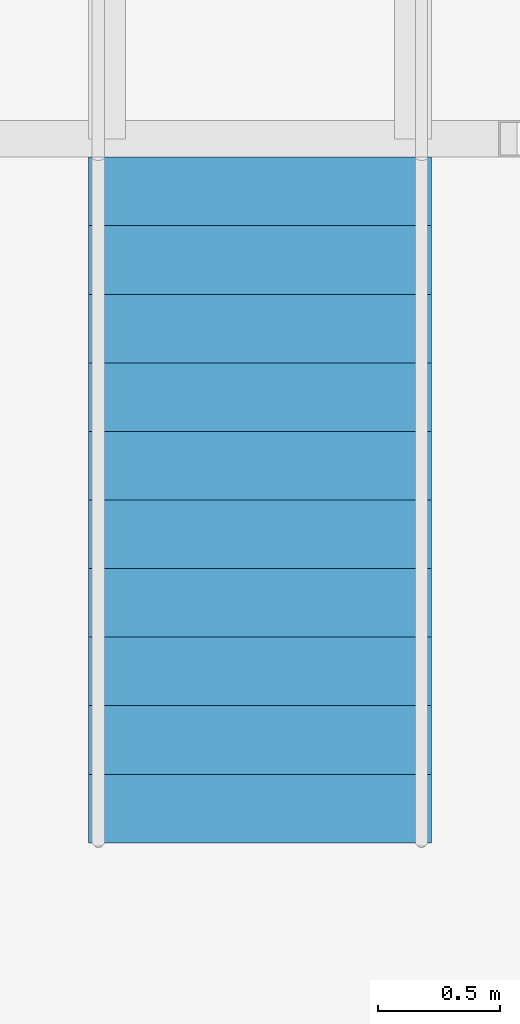
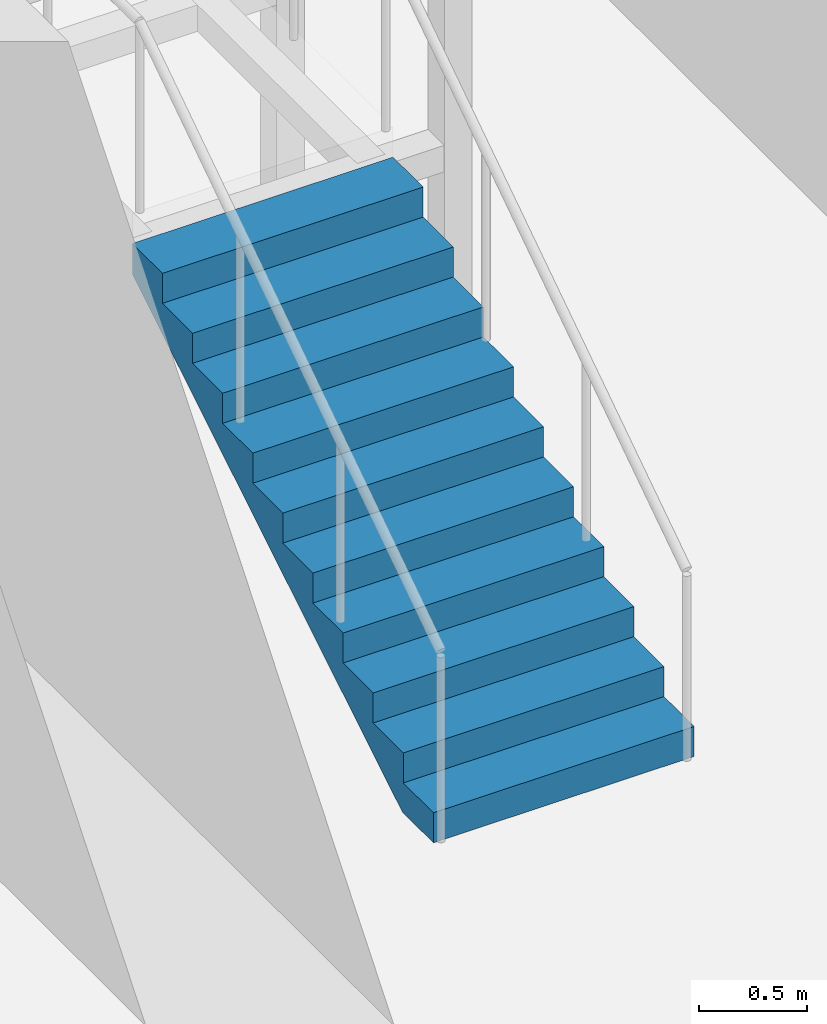
# One storey, part 19 of 25: 1 stair flight, 1 element without a shape of its own.
"""IFC4 building model written with IfcOpenShell, lengths in metres."""

from ifc_helpers import new_model, si_unit, direction, frame, origin, place, context, subcontext, project, spatial, triangles, material, type_object, element, aggregate, save


model = new_model("IFC4")

# Units and contexts
model_context = context("Model", 3, precision=1e-05, world=origin(), true_north=direction((0.0, 1.0)))
body_context = subcontext(model_context, "Body", "Model", "MODEL_VIEW")
ifc_project = project(units=[si_unit("LENGTHUNIT", "METRE"), si_unit("AREAUNIT", "SQUARE_METRE"), si_unit("VOLUMEUNIT", "CUBIC_METRE"), si_unit("PLANEANGLEUNIT", "RADIAN"), si_unit("MASSUNIT", "GRAM", prefix="KILO")], contexts=[model_context])

# Site, building, storey
site_placement = place(None, origin())
site = spatial("IfcSite", under=ifc_project, at=site_placement, CompositionType="ELEMENT")
building_placement = place(site_placement, origin())
building = spatial("IfcBuilding", under=site, at=building_placement, Name="Orbita Commons", CompositionType="ELEMENT")
storey_placement = place(building_placement, frame((0.0, 0.0, 99.39990234375)))
storey = spatial("IfcBuildingStorey", under=building, at=storey_placement, Name="L24", CompositionType="ELEMENT", Elevation=99.39990234375)

# Stair, stair flight
ifc_material_1 = material(Name="Steel ASTM A992 stringers, precast concrete C40/50 terrazzo treads", Category="concrete")
stair_type = type_object("IfcStairType", Name="Feature stair 22 risers 170 x 280 x 1400", PredefinedType="STRAIGHT_RUN_STAIR", material=ifc_material_1)
stair_placement = place(storey_placement, origin())
stair = element("IfcStair", 1, at=stair_placement, inside=storey, type_object=stair_type, Name="Neighbourhood stair L24 to L25", PredefinedType="STRAIGHT_RUN_STAIR")
ifc_material_2 = material(Name="Steel ASTM A992 stringers, precast concrete C40/50 terrazzo treads", Category="concrete")
stair_flight_type = type_object("IfcStairFlightType", Name="Feature stair flight 11 risers 170 x 1400", PredefinedType="STRAIGHT", material=ifc_material_2)
stair_flight_placement = place(storey_placement, frame((8.10009765625, 37.800048828125, 0.0), z_axis=(0.0, 0.0, 1.0), x_axis=(0.0, 1.0, 0.0)))
stair_flight = element("IfcStairFlight", 2, at=stair_flight_placement, type_object=stair_flight_type, Name="FS flight 1", NumberOfRisers=11, NumberOfTreads=10, PredefinedType="STRAIGHT", RiserHeight=0.170454545, TreadLength=0.28, context=body_context, shape_type="Tessellation", body=[
    triangles([(0.0, 0.699951, 0.0), (0.0, 0.699951, 0.021307), (0.0, 0.583293, 0.021307), (0.0, 0.583293, 0.0), (0.0, 0.466634, 0.021307), (0.0, 0.466634, 0.0), (0.0, 0.349976, 0.021307), (0.0, 0.349976, 0.0), (0.0, 0.233317, 0.021307), (0.0, 0.233317, 0.0), (0.0, 0.116659, 0.021307), (0.0, 0.116659, 0.0), (0.0, 0.0, 0.021307), (0.0, 0.0, 0.0), (0.0, -0.116659, 0.021307), (0.0, -0.116659, 0.0), (0.0, -0.233317, 0.021307), (0.0, -0.233317, 0.0), (0.0, -0.349976, 0.021307), (0.0, -0.349976, 0.0), (0.0, -0.466634, 0.021307), (0.0, -0.466634, 0.0), (0.0, -0.583293, 0.021307), (0.0, -0.583293, 0.0), (0.0, -0.699951, 0.021307), (0.0, -0.699951, 0.0), (0.0, 0.699951, 0.042614), (0.0, 0.583293, 0.042614), (0.0, 0.466634, 0.042614), (0.0, 0.349976, 0.042614), (0.0, 0.233317, 0.042614), (0.0, 0.116659, 0.042614), (0.0, 0.0, 0.042614), (0.0, -0.116659, 0.042614), (0.0, -0.233317, 0.042614), (0.0, -0.349976, 0.042614), (0.0, -0.466634, 0.042614), (0.0, -0.583293, 0.042614), (0.0, -0.699951, 0.042614), (0.0, 0.699951, 0.06392), (0.0, 0.583293, 0.06392), (0.0, 0.466634, 0.06392), (0.0, 0.349976, 0.06392), (0.0, 0.233317, 0.06392), (0.0, 0.116659, 0.06392), (0.0, 0.0, 0.06392), (0.0, -0.116659, 0.06392), (0.0, -0.233317, 0.06392), (0.0, -0.349976, 0.06392), (0.0, -0.466634, 0.06392), (0.0, -0.583293, 0.06392), (0.0, -0.699951, 0.06392), (0.0, 0.699951, 0.085227), (0.0, 0.583293, 0.085227), (0.0, 0.466634, 0.085227), (0.0, 0.349976, 0.085227), (0.0, 0.233317, 0.085227), (0.0, 0.116659, 0.085227), (0.0, 0.0, 0.085227), (0.0, -0.116659, 0.085227), (0.0, -0.233317, 0.085227), (0.0, -0.349976, 0.085227), (0.0, -0.466634, 0.085227), (0.0, -0.583293, 0.085227), (0.0, -0.699951, 0.085227), (0.0, 0.699951, 0.106534), (0.0, 0.583293, 0.106534), (0.0, 0.466634, 0.106534), (0.0, 0.349976, 0.106534), (0.0, 0.233317, 0.106534), (0.0, 0.116659, 0.106534), (0.0, 0.0, 0.106534), (0.0, -0.116659, 0.106534), (0.0, -0.233317, 0.106534), (0.0, -0.349976, 0.106534), (0.0, -0.466634, 0.106534), (0.0, -0.583293, 0.106534), (0.0, -0.699951, 0.106534), (0.0, 0.699951, 0.127841), (0.0, 0.583293, 0.127841), (0.0, 0.466634, 0.127841), (0.0, 0.349976, 0.127841), (0.0, 0.233317, 0.127841), (0.0, 0.116659, 0.127841), (0.0, 0.0, 0.127841), (0.0, -0.116659, 0.127841), (0.0, -0.233317, 0.127841), (0.0, -0.349976, 0.127841), (0.0, -0.466634, 0.127841), (0.0, -0.583293, 0.127841), (0.0, -0.699951, 0.127841), (0.0, 0.699951, 0.149148), (0.0, 0.583293, 0.149148), (0.0, 0.466634, 0.149148), (0.0, 0.349976, 0.149148), (0.0, 0.233317, 0.149148), (0.0, 0.116659, 0.149148), (0.0, 0.0, 0.149148), (0.0, -0.116659, 0.149148), (0.0, -0.233317, 0.149148), (0.0, -0.349976, 0.149148), (0.0, -0.466634, 0.149148), (0.0, -0.583293, 0.149148), (0.0, -0.699951, 0.149148), (0.0, 0.699951, 0.170455), (0.0, 0.583293, 0.170455), (0.0, 0.466634, 0.170455), (0.0, 0.349976, 0.170455), (0.0, 0.233317, 0.170455), (0.0, 0.116659, 0.170455), (0.0, 0.0, 0.170455), (0.0, -0.116659, 0.170455), (0.0, -0.233317, 0.170455), (0.0, -0.349976, 0.170455), (0.0, -0.466634, 0.170455), (0.0, -0.583293, 0.170455), (0.0, -0.699951, 0.170455), (0.28, 0.699951, 0.170455), (0.28, 0.583293, 0.170455), (0.28, 0.466634, 0.170455), (0.28, 0.349976, 0.170455), (0.28, 0.233317, 0.170455), (0.28, 0.116659, 0.170455), (0.28, 0.0, 0.170455), (0.28, -0.116659, 0.170455), (0.28, -0.233317, 0.170455), (0.28, -0.349976, 0.170455), (0.28, -0.466634, 0.170455), (0.28, -0.583293, 0.170455), (0.28, -0.699951, 0.170455), (0.28, 0.699951, 0.340909), (0.28, 0.583293, 0.340909), (0.28, 0.466634, 0.340909), (0.28, 0.349976, 0.340909), (0.28, 0.233317, 0.340909), (0.28, 0.116659, 0.340909), (0.28, 0.0, 0.340909), (0.28, -0.116659, 0.340909), (0.28, -0.233317, 0.340909), (0.28, -0.349976, 0.340909), (0.28, -0.466634, 0.340909), (0.28, -0.583293, 0.340909), (0.28, -0.699951, 0.340909), (0.56, 0.699951, 0.340909), (0.56, 0.583293, 0.340909), (0.56, 0.466634, 0.340909), (0.56, 0.349976, 0.340909), (0.56, 0.233317, 0.340909), (0.56, 0.116659, 0.340909), (0.56, 0.0, 0.340909), (0.56, -0.116659, 0.340909), (0.56, -0.233317, 0.340909), (0.56, -0.349976, 0.340909), (0.56, -0.466634, 0.340909), (0.56, -0.583293, 0.340909), (0.56, -0.699951, 0.340909), (0.56, 0.699951, 0.511364), (0.56, 0.583293, 0.511364), (0.56, 0.466634, 0.511364), (0.56, 0.349976, 0.511364), (0.56, 0.233317, 0.511364), (0.56, 0.116659, 0.511364), (0.56, 0.0, 0.511364), (0.56, -0.116659, 0.511364), (0.56, -0.233317, 0.511364), (0.56, -0.349976, 0.511364), (0.56, -0.466634, 0.511364), (0.56, -0.583293, 0.511364), (0.56, -0.699951, 0.511364), (0.84, 0.699951, 0.511364), (0.84, 0.583293, 0.511364), (0.84, 0.466634, 0.511364), (0.84, 0.349976, 0.511364), (0.84, 0.233317, 0.511364), (0.84, 0.116659, 0.511364), (0.84, 0.0, 0.511364), (0.84, -0.116659, 0.511364), (0.84, -0.233317, 0.511364), (0.84, -0.349976, 0.511364), (0.84, -0.466634, 0.511364), (0.84, -0.583293, 0.511364), (0.84, -0.699951, 0.511364), (0.84, 0.699951, 0.681818), (0.84, 0.583293, 0.681818), (0.84, 0.466634, 0.681818), (0.84, 0.349976, 0.681818), (0.84, 0.233317, 0.681818), (0.84, 0.116659, 0.681818), (0.84, 0.0, 0.681818), (0.84, -0.116659, 0.681818), (0.84, -0.233317, 0.681818), (0.84, -0.349976, 0.681818), (0.84, -0.466634, 0.681818), (0.84, -0.583293, 0.681818), (0.84, -0.699951, 0.681818), (1.12, 0.699951, 0.681818), (1.12, 0.583293, 0.681818), (1.12, 0.466634, 0.681818), (1.12, 0.349976, 0.681818), (1.12, 0.233317, 0.681818), (1.12, 0.116659, 0.681818), (1.12, 0.0, 0.681818), (1.12, -0.116659, 0.681818), (1.12, -0.233317, 0.681818), (1.12, -0.349976, 0.681818), (1.12, -0.466634, 0.681818), (1.12, -0.583293, 0.681818), (1.12, -0.699951, 0.681818), (1.12, 0.699951, 0.852273), (1.12, 0.583293, 0.852273), (1.12, 0.466634, 0.852273), (1.12, 0.349976, 0.852273), (1.12, 0.233317, 0.852273), (1.12, 0.116659, 0.852273), (1.12, 0.0, 0.852273), (1.12, -0.116659, 0.852273), (1.12, -0.233317, 0.852273), (1.12, -0.349976, 0.852273), (1.12, -0.466634, 0.852273), (1.12, -0.583293, 0.852273), (1.12, -0.699951, 0.852273), (1.4, 0.699951, 0.852273), (1.4, 0.583293, 0.852273), (1.4, 0.466634, 0.852273), (1.4, 0.349976, 0.852273), (1.4, 0.233317, 0.852273), (1.4, 0.116659, 0.852273), (1.4, 0.0, 0.852273), (1.4, -0.116659, 0.852273), (1.4, -0.233317, 0.852273), (1.4, -0.349976, 0.852273), (1.4, -0.466634, 0.852273), (1.4, -0.583293, 0.852273), (1.4, -0.699951, 0.852273), (1.4, 0.699951, 1.022727), (1.4, 0.583293, 1.022727), (1.4, 0.466634, 1.022727), (1.4, 0.349976, 1.022727), (1.4, 0.233317, 1.022727), (1.4, 0.116659, 1.022727), (1.4, 0.0, 1.022727), (1.4, -0.116659, 1.022727), (1.4, -0.233317, 1.022727), (1.4, -0.349976, 1.022727), (1.4, -0.466634, 1.022727), (1.4, -0.583293, 1.022727), (1.4, -0.699951, 1.022727), (1.68, 0.699951, 1.022727), (1.68, 0.583293, 1.022727), (1.68, 0.466634, 1.022727), (1.68, 0.349976, 1.022727), (1.68, 0.233317, 1.022727), (1.68, 0.116659, 1.022727), (1.68, 0.0, 1.022727), (1.68, -0.116659, 1.022727), (1.68, -0.233317, 1.022727), (1.68, -0.349976, 1.022727), (1.68, -0.466634, 1.022727), (1.68, -0.583293, 1.022727), (1.68, -0.699951, 1.022727), (1.68, 0.699951, 1.193182), (1.68, 0.583293, 1.193182), (1.68, 0.466634, 1.193182), (1.68, 0.349976, 1.193182), (1.68, 0.233317, 1.193182), (1.68, 0.116659, 1.193182), (1.68, 0.0, 1.193182), (1.68, -0.116659, 1.193182), (1.68, -0.233317, 1.193182), (1.68, -0.349976, 1.193182), (1.68, -0.466634, 1.193182), (1.68, -0.583293, 1.193182), (1.68, -0.699951, 1.193182), (1.96, 0.699951, 1.193182), (1.96, 0.583293, 1.193182), (1.96, 0.466634, 1.193182), (1.96, 0.349976, 1.193182), (1.96, 0.233317, 1.193182), (1.96, 0.116659, 1.193182), (1.96, 0.0, 1.193182), (1.96, -0.116659, 1.193182), (1.96, -0.233317, 1.193182), (1.96, -0.349976, 1.193182), (1.96, -0.466634, 1.193182), (1.96, -0.583293, 1.193182), (1.96, -0.699951, 1.193182), (1.96, 0.699951, 1.363636), (1.96, 0.583293, 1.363636), (1.96, 0.466634, 1.363636), (1.96, 0.349976, 1.363636), (1.96, 0.233317, 1.363636), (1.96, 0.116659, 1.363636), (1.96, 0.0, 1.363636), (1.96, -0.116659, 1.363636), (1.96, -0.233317, 1.363636), (1.96, -0.349976, 1.363636), (1.96, -0.466634, 1.363636), (1.96, -0.583293, 1.363636), (1.96, -0.699951, 1.363636), (2.24, 0.699951, 1.363636), (2.24, 0.583293, 1.363636), (2.24, 0.466634, 1.363636), (2.24, 0.349976, 1.363636), (2.24, 0.233317, 1.363636), (2.24, 0.116659, 1.363636), (2.24, 0.0, 1.363636), (2.24, -0.116659, 1.363636), (2.24, -0.233317, 1.363636), (2.24, -0.349976, 1.363636), (2.24, -0.466634, 1.363636), (2.24, -0.583293, 1.363636), (2.24, -0.699951, 1.363636), (2.24, 0.699951, 1.534091), (2.24, 0.583293, 1.534091), (2.24, 0.466634, 1.534091), (2.24, 0.349976, 1.534091), (2.24, 0.233317, 1.534091), (2.24, 0.116659, 1.534091), (2.24, 0.0, 1.534091), (2.24, -0.116659, 1.534091), (2.24, -0.233317, 1.534091), (2.24, -0.349976, 1.534091), (2.24, -0.466634, 1.534091), (2.24, -0.583293, 1.534091), (2.24, -0.699951, 1.534091), (2.52, 0.699951, 1.534091), (2.52, 0.583293, 1.534091), (2.52, 0.466634, 1.534091), (2.52, 0.349976, 1.534091), (2.52, 0.233317, 1.534091), (2.52, 0.116659, 1.534091), (2.52, 0.0, 1.534091), (2.52, -0.116659, 1.534091), (2.52, -0.233317, 1.534091), (2.52, -0.349976, 1.534091), (2.52, -0.466634, 1.534091), (2.52, -0.583293, 1.534091), (2.52, -0.699951, 1.534091), (2.52, 0.699951, 1.704545), (2.52, 0.583293, 1.704545), (2.52, 0.466634, 1.704545), (2.52, 0.349976, 1.704545), (2.52, 0.233317, 1.704545), (2.52, 0.116659, 1.704545), (2.52, 0.0, 1.704545), (2.52, -0.116659, 1.704545), (2.52, -0.233317, 1.704545), (2.52, -0.349976, 1.704545), (2.52, -0.466634, 1.704545), (2.52, -0.583293, 1.704545), (2.52, -0.699951, 1.704545), (2.8, 0.699951, 1.704545), (2.8, 0.583293, 1.704545), (2.8, 0.466634, 1.704545), (2.8, 0.349976, 1.704545), (2.8, 0.233317, 1.704545), (2.8, 0.116659, 1.704545), (2.8, 0.0, 1.704545), (2.8, -0.116659, 1.704545), (2.8, -0.233317, 1.704545), (2.8, -0.349976, 1.704545), (2.8, -0.466634, 1.704545), (2.8, -0.583293, 1.704545), (2.8, -0.699951, 1.704545), (2.8, 0.699951, 1.682609), (2.8, 0.583293, 1.682609), (2.8, 0.466634, 1.682609), (2.8, 0.349976, 1.682609), (2.8, 0.233317, 1.682609), (2.8, 0.116659, 1.682609), (2.8, 0.0, 1.682609), (2.8, -0.116659, 1.682609), (2.8, -0.233317, 1.682609), (2.8, -0.349976, 1.682609), (2.8, -0.466634, 1.682609), (2.8, -0.583293, 1.682609), (2.8, -0.699951, 1.682609), (2.8, 0.699951, 1.660672), (2.8, 0.583293, 1.660672), (2.8, 0.466634, 1.660672), (2.8, 0.349976, 1.660672), (2.8, 0.233317, 1.660672), (2.8, 0.116659, 1.660672), (2.8, 0.0, 1.660672), (2.8, -0.116659, 1.660672), (2.8, -0.233317, 1.660672), (2.8, -0.349976, 1.660672), (2.8, -0.466634, 1.660672), (2.8, -0.583293, 1.660672), (2.8, -0.699951, 1.660672), (2.8, 0.699951, 1.638735), (2.8, 0.583293, 1.638735), (2.8, 0.466634, 1.638735), (2.8, 0.349976, 1.638735), (2.8, 0.233317, 1.638735), (2.8, 0.116659, 1.638735), (2.8, 0.0, 1.638735), (2.8, -0.116659, 1.638735), (2.8, -0.233317, 1.638735), (2.8, -0.349976, 1.638735), (2.8, -0.466634, 1.638735), (2.8, -0.583293, 1.638735), (2.8, -0.699951, 1.638735), (2.8, 0.699951, 1.616798), (2.8, 0.583293, 1.616798), (2.8, 0.466634, 1.616798), (2.8, 0.349976, 1.616798), (2.8, 0.233317, 1.616798), (2.8, 0.116659, 1.616798), (2.8, 0.0, 1.616798), (2.8, -0.116659, 1.616798), (2.8, -0.233317, 1.616798), (2.8, -0.349976, 1.616798), (2.8, -0.466634, 1.616798), (2.8, -0.583293, 1.616798), (2.8, -0.699951, 1.616798), (2.8, 0.699951, 1.594861), (2.8, 0.583293, 1.594861), (2.8, 0.466634, 1.594861), (2.8, 0.349976, 1.594861), (2.8, 0.233317, 1.594861), (2.8, 0.116659, 1.594861), (2.8, 0.0, 1.594861), (2.8, -0.116659, 1.594861), (2.8, -0.233317, 1.594861), (2.8, -0.349976, 1.594861), (2.8, -0.466634, 1.594861), (2.8, -0.583293, 1.594861), (2.8, -0.699951, 1.594861), (2.8, 0.699951, 1.572925), (2.8, 0.583293, 1.572925), (2.8, 0.466634, 1.572925), (2.8, 0.349976, 1.572925), (2.8, 0.233317, 1.572925), (2.8, 0.116659, 1.572925), (2.8, 0.0, 1.572925), (2.8, -0.116659, 1.572925), (2.8, -0.233317, 1.572925), (2.8, -0.349976, 1.572925), (2.8, -0.466634, 1.572925), (2.8, -0.583293, 1.572925), (2.8, -0.699951, 1.572925), (2.8, 0.699951, 1.550988), (2.8, 0.583293, 1.550988), (2.8, 0.466634, 1.550988), (2.8, 0.349976, 1.550988), (2.8, 0.233317, 1.550988), (2.8, 0.116659, 1.550988), (2.8, 0.0, 1.550988), (2.8, -0.116659, 1.550988), (2.8, -0.233317, 1.550988), (2.8, -0.349976, 1.550988), (2.8, -0.466634, 1.550988), (2.8, -0.583293, 1.550988), (2.8, -0.699951, 1.550988), (2.8, 0.699951, 1.529051), (2.8, 0.583293, 1.529051), (2.8, 0.466634, 1.529051), (2.8, 0.349976, 1.529051), (2.8, 0.233317, 1.529051), (2.8, 0.116659, 1.529051), (2.8, 0.0, 1.529051), (2.8, -0.116659, 1.529051), (2.8, -0.233317, 1.529051), (2.8, -0.349976, 1.529051), (2.8, -0.466634, 1.529051), (2.8, -0.583293, 1.529051), (2.8, -0.699951, 1.529051), (0.288279, 0.699951, 0.0), (0.288279, 0.583293, 0.0), (0.288279, 0.466634, 0.0), (0.288279, 0.349976, 0.0), (0.288279, 0.233317, 0.0), (0.288279, 0.116659, 0.0), (0.288279, 0.0, 0.0), (0.288279, -0.116659, 0.0), (0.288279, -0.233317, 0.0), (0.288279, -0.349976, 0.0), (0.288279, -0.466634, 0.0), (0.288279, -0.583293, 0.0), (0.288279, -0.699951, 0.0)], [[3, 2, 1], [4, 3, 1], [5, 3, 4], [6, 5, 4], [7, 5, 6], [8, 7, 6], [9, 7, 8], [10, 9, 8], [11, 9, 10], [12, 11, 10], [13, 11, 12], [14, 13, 12], [15, 13, 14], [16, 15, 14], [17, 15, 16], [18, 17, 16], [19, 17, 18], [20, 19, 18], [21, 19, 20], [22, 21, 20], [23, 21, 22], [24, 23, 22], [25, 23, 24], [26, 25, 24], [28, 27, 2], [3, 28, 2], [29, 28, 3], [5, 29, 3], [30, 29, 5], [7, 30, 5], [31, 30, 7], [9, 31, 7], [32, 31, 9], [11, 32, 9], [33, 32, 11], [13, 33, 11], [34, 33, 13], [15, 34, 13], [35, 34, 15], [17, 35, 15], [36, 35, 17], [19, 36, 17], [37, 36, 19], [21, 37, 19], [38, 37, 21], [23, 38, 21], [39, 38, 23], [25, 39, 23], [41, 40, 27], [28, 41, 27], [42, 41, 28], [29, 42, 28], [43, 42, 29], [30, 43, 29], [44, 43, 30], [31, 44, 30], [45, 44, 31], [32, 45, 31], [46, 45, 32], [33, 46, 32], [47, 46, 33], [34, 47, 33], [48, 47, 34], [35, 48, 34], [49, 48, 35], [36, 49, 35], [50, 49, 36], [37, 50, 36], [51, 50, 37], [38, 51, 37], [52, 51, 38], [39, 52, 38], [54, 53, 40], [41, 54, 40], [55, 54, 41], [42, 55, 41], [56, 55, 42], [43, 56, 42], [57, 56, 43], [44, 57, 43], [58, 57, 44], [45, 58, 44], [59, 58, 45], [46, 59, 45], [60, 59, 46], [47, 60, 46], [61, 60, 47], [48, 61, 47], [62, 61, 48], [49, 62, 48], [63, 62, 49], [50, 63, 49], [64, 63, 50], [51, 64, 50], [65, 64, 51], [52, 65, 51], [67, 66, 53], [54, 67, 53], [68, 67, 54], [55, 68, 54], [69, 68, 55], [56, 69, 55], [70, 69, 56], [57, 70, 56], [71, 70, 57], [58, 71, 57], [72, 71, 58], [59, 72, 58], [73, 72, 59], [60, 73, 59], [74, 73, 60], [61, 74, 60], [75, 74, 61], [62, 75, 61], [76, 75, 62], [63, 76, 62], [77, 76, 63], [64, 77, 63], [78, 77, 64], [65, 78, 64], [80, 79, 66], [67, 80, 66], [81, 80, 67], [68, 81, 67], [82, 81, 68], [69, 82, 68], [83, 82, 69], [70, 83, 69], [84, 83, 70], [71, 84, 70], [85, 84, 71], [72, 85, 71], [86, 85, 72], [73, 86, 72], [87, 86, 73], [74, 87, 73], [88, 87, 74], [75, 88, 74], [89, 88, 75], [76, 89, 75], [90, 89, 76], [77, 90, 76], [91, 90, 77], [78, 91, 77], [93, 92, 79], [80, 93, 79], [94, 93, 80], [81, 94, 80], [95, 94, 81], [82, 95, 81], [96, 95, 82], [83, 96, 82], [97, 96, 83], [84, 97, 83], [98, 97, 84], [85, 98, 84], [99, 98, 85], [86, 99, 85], [100, 99, 86], [87, 100, 86], [101, 100, 87], [88, 101, 87], [102, 101, 88], [89, 102, 88], [103, 102, 89], [90, 103, 89], [104, 103, 90], [91, 104, 90], [106, 105, 92], [93, 106, 92], [107, 106, 93], [94, 107, 93], [108, 107, 94], [95, 108, 94], [109, 108, 95], [96, 109, 95], [110, 109, 96], [97, 110, 96], [111, 110, 97], [98, 111, 97], [112, 111, 98], [99, 112, 98], [113, 112, 99], [100, 113, 99], [114, 113, 100], [101, 114, 100], [115, 114, 101], [102, 115, 101], [116, 115, 102], [103, 116, 102], [117, 116, 103], [104, 117, 103], [119, 118, 105], [106, 119, 105], [120, 119, 106], [107, 120, 106], [121, 120, 107], [108, 121, 107], [122, 121, 108], [109, 122, 108], [123, 122, 109], [110, 123, 109], [124, 123, 110], [111, 124, 110], [125, 124, 111], [112, 125, 111], [126, 125, 112], [113, 126, 112], [127, 126, 113], [114, 127, 113], [128, 127, 114], [115, 128, 114], [129, 128, 115], [116, 129, 115], [130, 129, 116], [117, 130, 116], [132, 131, 118], [119, 132, 118], [133, 132, 119], [120, 133, 119], [134, 133, 120], [121, 134, 120], [135, 134, 121], [122, 135, 121], [136, 135, 122], [123, 136, 122], [137, 136, 123], [124, 137, 123], [138, 137, 124], [125, 138, 124], [139, 138, 125], [126, 139, 125], [140, 139, 126], [127, 140, 126], [141, 140, 127], [128, 141, 127], [142, 141, 128], [129, 142, 128], [143, 142, 129], [130, 143, 129], [145, 144, 131], [132, 145, 131], [146, 145, 132], [133, 146, 132], [147, 146, 133], [134, 147, 133], [148, 147, 134], [135, 148, 134], [149, 148, 135], [136, 149, 135], [150, 149, 136], [137, 150, 136], [151, 150, 137], [138, 151, 137], [152, 151, 138], [139, 152, 138], [153, 152, 139], [140, 153, 139], [154, 153, 140], [141, 154, 140], [155, 154, 141], [142, 155, 141], [156, 155, 142], [143, 156, 142], [158, 157, 144], [145, 158, 144], [159, 158, 145], [146, 159, 145], [160, 159, 146], [147, 160, 146], [161, 160, 147], [148, 161, 147], [162, 161, 148], [149, 162, 148], [163, 162, 149], [150, 163, 149], [164, 163, 150], [151, 164, 150], [165, 164, 151], [152, 165, 151], [166, 165, 152], [153, 166, 152], [167, 166, 153], [154, 167, 153], [168, 167, 154], [155, 168, 154], [169, 168, 155], [156, 169, 155], [171, 170, 157], [158, 171, 157], [172, 171, 158], [159, 172, 158], [173, 172, 159], [160, 173, 159], [174, 173, 160], [161, 174, 160], [175, 174, 161], [162, 175, 161], [176, 175, 162], [163, 176, 162], [177, 176, 163], [164, 177, 163], [178, 177, 164], [165, 178, 164], [179, 178, 165], [166, 179, 165], [180, 179, 166], [167, 180, 166], [181, 180, 167], [168, 181, 167], [182, 181, 168], [169, 182, 168], [184, 183, 170], [171, 184, 170], [185, 184, 171], [172, 185, 171], [186, 185, 172], [173, 186, 172], [187, 186, 173], [174, 187, 173], [188, 187, 174], [175, 188, 174], [189, 188, 175], [176, 189, 175], [190, 189, 176], [177, 190, 176], [191, 190, 177], [178, 191, 177], [192, 191, 178], [179, 192, 178], [193, 192, 179], [180, 193, 179], [194, 193, 180], [181, 194, 180], [195, 194, 181], [182, 195, 181], [197, 196, 183], [184, 197, 183], [198, 197, 184], [185, 198, 184], [199, 198, 185], [186, 199, 185], [200, 199, 186], [187, 200, 186], [201, 200, 187], [188, 201, 187], [202, 201, 188], [189, 202, 188], [203, 202, 189], [190, 203, 189], [204, 203, 190], [191, 204, 190], [205, 204, 191], [192, 205, 191], [206, 205, 192], [193, 206, 192], [207, 206, 193], [194, 207, 193], [208, 207, 194], [195, 208, 194], [210, 209, 196], [197, 210, 196], [211, 210, 197], [198, 211, 197], [212, 211, 198], [199, 212, 198], [213, 212, 199], [200, 213, 199], [214, 213, 200], [201, 214, 200], [215, 214, 201], [202, 215, 201], [216, 215, 202], [203, 216, 202], [217, 216, 203], [204, 217, 203], [218, 217, 204], [205, 218, 204], [219, 218, 205], [206, 219, 205], [220, 219, 206], [207, 220, 206], [221, 220, 207], [208, 221, 207], [223, 222, 209], [210, 223, 209], [224, 223, 210], [211, 224, 210], [225, 224, 211], [212, 225, 211], [226, 225, 212], [213, 226, 212], [227, 226, 213], [214, 227, 213], [228, 227, 214], [215, 228, 214], [229, 228, 215], [216, 229, 215], [230, 229, 216], [217, 230, 216], [231, 230, 217], [218, 231, 217], [232, 231, 218], [219, 232, 218], [233, 232, 219], [220, 233, 219], [234, 233, 220], [221, 234, 220], [236, 235, 222], [223, 236, 222], [237, 236, 223], [224, 237, 223], [238, 237, 224], [225, 238, 224], [239, 238, 225], [226, 239, 225], [240, 239, 226], [227, 240, 226], [241, 240, 227], [228, 241, 227], [242, 241, 228], [229, 242, 228], [243, 242, 229], [230, 243, 229], [244, 243, 230], [231, 244, 230], [245, 244, 231], [232, 245, 231], [246, 245, 232], [233, 246, 232], [247, 246, 233], [234, 247, 233], [249, 248, 235], [236, 249, 235], [250, 249, 236], [237, 250, 236], [251, 250, 237], [238, 251, 237], [252, 251, 238], [239, 252, 238], [253, 252, 239], [240, 253, 239], [254, 253, 240], [241, 254, 240], [255, 254, 241], [242, 255, 241], [256, 255, 242], [243, 256, 242], [257, 256, 243], [244, 257, 243], [258, 257, 244], [245, 258, 244], [259, 258, 245], [246, 259, 245], [260, 259, 246], [247, 260, 246], [262, 261, 248], [249, 262, 248], [263, 262, 249], [250, 263, 249], [264, 263, 250], [251, 264, 250], [265, 264, 251], [252, 265, 251], [266, 265, 252], [253, 266, 252], [267, 266, 253], [254, 267, 253], [268, 267, 254], [255, 268, 254], [269, 268, 255], [256, 269, 255], [270, 269, 256], [257, 270, 256], [271, 270, 257], [258, 271, 257], [272, 271, 258], [259, 272, 258], [273, 272, 259], [260, 273, 259], [275, 274, 261], [262, 275, 261], [276, 275, 262], [263, 276, 262], [277, 276, 263], [264, 277, 263], [278, 277, 264], [265, 278, 264], [279, 278, 265], [266, 279, 265], [280, 279, 266], [267, 280, 266], [281, 280, 267], [268, 281, 267], [282, 281, 268], [269, 282, 268], [283, 282, 269], [270, 283, 269], [284, 283, 270], [271, 284, 270], [285, 284, 271], [272, 285, 271], [286, 285, 272], [273, 286, 272], [288, 287, 274], [275, 288, 274], [289, 288, 275], [276, 289, 275], [290, 289, 276], [277, 290, 276], [291, 290, 277], [278, 291, 277], [292, 291, 278], [279, 292, 278], [293, 292, 279], [280, 293, 279], [294, 293, 280], [281, 294, 280], [295, 294, 281], [282, 295, 281], [296, 295, 282], [283, 296, 282], [297, 296, 283], [284, 297, 283], [298, 297, 284], [285, 298, 284], [299, 298, 285], [286, 299, 285], [301, 300, 287], [288, 301, 287], [302, 301, 288], [289, 302, 288], [303, 302, 289], [290, 303, 289], [304, 303, 290], [291, 304, 290], [305, 304, 291], [292, 305, 291], [306, 305, 292], [293, 306, 292], [307, 306, 293], [294, 307, 293], [308, 307, 294], [295, 308, 294], [309, 308, 295], [296, 309, 295], [310, 309, 296], [297, 310, 296], [311, 310, 297], [298, 311, 297], [312, 311, 298], [299, 312, 298], [314, 313, 300], [301, 314, 300], [315, 314, 301], [302, 315, 301], [316, 315, 302], [303, 316, 302], [317, 316, 303], [304, 317, 303], [318, 317, 304], [305, 318, 304], [319, 318, 305], [306, 319, 305], [320, 319, 306], [307, 320, 306], [321, 320, 307], [308, 321, 307], [322, 321, 308], [309, 322, 308], [323, 322, 309], [310, 323, 309], [324, 323, 310], [311, 324, 310], [325, 324, 311], [312, 325, 311], [327, 326, 313], [314, 327, 313], [328, 327, 314], [315, 328, 314], [329, 328, 315], [316, 329, 315], [330, 329, 316], [317, 330, 316], [331, 330, 317], [318, 331, 317], [332, 331, 318], [319, 332, 318], [333, 332, 319], [320, 333, 319], [334, 333, 320], [321, 334, 320], [335, 334, 321], [322, 335, 321], [336, 335, 322], [323, 336, 322], [337, 336, 323], [324, 337, 323], [338, 337, 324], [325, 338, 324], [340, 339, 326], [327, 340, 326], [341, 340, 327], [328, 341, 327], [342, 341, 328], [329, 342, 328], [343, 342, 329], [330, 343, 329], [344, 343, 330], [331, 344, 330], [345, 344, 331], [332, 345, 331], [346, 345, 332], [333, 346, 332], [347, 346, 333], [334, 347, 333], [348, 347, 334], [335, 348, 334], [349, 348, 335], [336, 349, 335], [350, 349, 336], [337, 350, 336], [351, 350, 337], [338, 351, 337], [353, 352, 339], [340, 353, 339], [354, 353, 340], [341, 354, 340], [355, 354, 341], [342, 355, 341], [356, 355, 342], [343, 356, 342], [357, 356, 343], [344, 357, 343], [358, 357, 344], [345, 358, 344], [359, 358, 345], [346, 359, 345], [360, 359, 346], [347, 360, 346], [361, 360, 347], [348, 361, 347], [362, 361, 348], [349, 362, 348], [363, 362, 349], [350, 363, 349], [364, 363, 350], [351, 364, 350], [366, 365, 352], [353, 366, 352], [367, 366, 353], [354, 367, 353], [368, 367, 354], [355, 368, 354], [369, 368, 355], [356, 369, 355], [370, 369, 356], [357, 370, 356], [371, 370, 357], [358, 371, 357], [372, 371, 358], [359, 372, 358], [373, 372, 359], [360, 373, 359], [374, 373, 360], [361, 374, 360], [375, 374, 361], [362, 375, 361], [376, 375, 362], [363, 376, 362], [377, 376, 363], [364, 377, 363], [379, 378, 365], [366, 379, 365], [380, 379, 366], [367, 380, 366], [381, 380, 367], [368, 381, 367], [382, 381, 368], [369, 382, 368], [383, 382, 369], [370, 383, 369], [384, 383, 370], [371, 384, 370], [385, 384, 371], [372, 385, 371], [386, 385, 372], [373, 386, 372], [387, 386, 373], [374, 387, 373], [388, 387, 374], [375, 388, 374], [389, 388, 375], [376, 389, 375], [390, 389, 376], [377, 390, 376], [392, 391, 378], [379, 392, 378], [393, 392, 379], [380, 393, 379], [394, 393, 380], [381, 394, 380], [395, 394, 381], [382, 395, 381], [396, 395, 382], [383, 396, 382], [397, 396, 383], [384, 397, 383], [398, 397, 384], [385, 398, 384], [399, 398, 385], [386, 399, 385], [400, 399, 386], [387, 400, 386], [401, 400, 387], [388, 401, 387], [402, 401, 388], [389, 402, 388], [403, 402, 389], [390, 403, 389], [405, 404, 391], [392, 405, 391], [406, 405, 392], [393, 406, 392], [407, 406, 393], [394, 407, 393], [408, 407, 394], [395, 408, 394], [409, 408, 395], [396, 409, 395], [410, 409, 396], [397, 410, 396], [411, 410, 397], [398, 411, 397], [412, 411, 398], [399, 412, 398], [413, 412, 399], [400, 413, 399], [414, 413, 400], [401, 414, 400], [415, 414, 401], [402, 415, 401], [416, 415, 402], [403, 416, 402], [418, 417, 404], [405, 418, 404], [419, 418, 405], [406, 419, 405], [420, 419, 406], [407, 420, 406], [421, 420, 407], [408, 421, 407], [422, 421, 408], [409, 422, 408], [423, 422, 409], [410, 423, 409], [424, 423, 410], [411, 424, 410], [425, 424, 411], [412, 425, 411], [426, 425, 412], [413, 426, 412], [427, 426, 413], [414, 427, 413], [428, 427, 414], [415, 428, 414], [429, 428, 415], [416, 429, 415], [431, 430, 417], [418, 431, 417], [432, 431, 418], [419, 432, 418], [433, 432, 419], [420, 433, 419], [434, 433, 420], [421, 434, 420], [435, 434, 421], [422, 435, 421], [436, 435, 422], [423, 436, 422], [437, 436, 423], [424, 437, 423], [438, 437, 424], [425, 438, 424], [439, 438, 425], [426, 439, 425], [440, 439, 426], [427, 440, 426], [441, 440, 427], [428, 441, 427], [442, 441, 428], [429, 442, 428], [444, 443, 430], [431, 444, 430], [445, 444, 431], [432, 445, 431], [446, 445, 432], [433, 446, 432], [447, 446, 433], [434, 447, 433], [448, 447, 434], [435, 448, 434], [449, 448, 435], [436, 449, 435], [450, 449, 436], [437, 450, 436], [451, 450, 437], [438, 451, 437], [452, 451, 438], [439, 452, 438], [453, 452, 439], [440, 453, 439], [454, 453, 440], [441, 454, 440], [455, 454, 441], [442, 455, 441], [457, 456, 443], [444, 457, 443], [458, 457, 444], [445, 458, 444], [459, 458, 445], [446, 459, 445], [460, 459, 446], [447, 460, 446], [461, 460, 447], [448, 461, 447], [462, 461, 448], [449, 462, 448], [463, 462, 449], [450, 463, 449], [464, 463, 450], [451, 464, 450], [465, 464, 451], [452, 465, 451], [466, 465, 452], [453, 466, 452], [467, 466, 453], [454, 467, 453], [468, 467, 454], [455, 468, 454], [470, 469, 456], [457, 470, 456], [471, 470, 457], [458, 471, 457], [472, 471, 458], [459, 472, 458], [473, 472, 459], [460, 473, 459], [474, 473, 460], [461, 474, 460], [475, 474, 461], [462, 475, 461], [476, 475, 462], [463, 476, 462], [477, 476, 463], [464, 477, 463], [478, 477, 464], [465, 478, 464], [479, 478, 465], [466, 479, 465], [480, 479, 466], [467, 480, 466], [481, 480, 467], [468, 481, 467], [4, 1, 469], [470, 4, 469], [6, 4, 470], [471, 6, 470], [8, 6, 471], [472, 8, 471], [10, 8, 472], [473, 10, 472], [12, 10, 473], [474, 12, 473], [14, 12, 474], [475, 14, 474], [16, 14, 475], [476, 16, 475], [18, 16, 476], [477, 18, 476], [20, 18, 477], [478, 20, 477], [22, 20, 478], [479, 22, 478], [24, 22, 479], [480, 24, 479], [26, 24, 480], [481, 26, 480], [456, 469, 1], [26, 481, 468], [443, 456, 1], [26, 468, 455], [430, 443, 1], [26, 455, 442], [417, 430, 1], [26, 442, 429], [404, 417, 1], [26, 429, 416], [391, 404, 1], [26, 416, 403], [378, 391, 1], [26, 403, 390], [365, 378, 1], [26, 390, 377], [339, 352, 365], [377, 364, 351], [326, 339, 365], [377, 351, 338], [300, 313, 326], [338, 325, 312], [300, 326, 365], [377, 338, 312], [274, 287, 300], [312, 299, 286], [274, 300, 365], [377, 312, 286], [248, 261, 274], [286, 273, 260], [248, 274, 365], [377, 286, 260], [222, 235, 248], [260, 247, 234], [222, 248, 365], [377, 260, 234], [196, 209, 222], [234, 221, 208], [196, 222, 365], [377, 234, 208], [170, 183, 196], [208, 195, 182], [170, 196, 365], [377, 208, 182], [144, 157, 170], [182, 169, 156], [144, 170, 365], [377, 182, 156], [118, 131, 144], [156, 143, 130], [118, 144, 365], [377, 156, 130], [118, 365, 1], [26, 377, 130], [92, 105, 118], [130, 117, 104], [79, 92, 118], [130, 104, 91], [66, 79, 118], [130, 91, 78], [53, 66, 118], [130, 78, 65], [40, 53, 118], [130, 65, 52], [27, 40, 118], [130, 52, 39], [2, 27, 118], [130, 39, 25], [1, 2, 118], [130, 25, 26]], closed=True),
])
aggregate(stair, [stair_flight])

save(model, "model.ifc")
